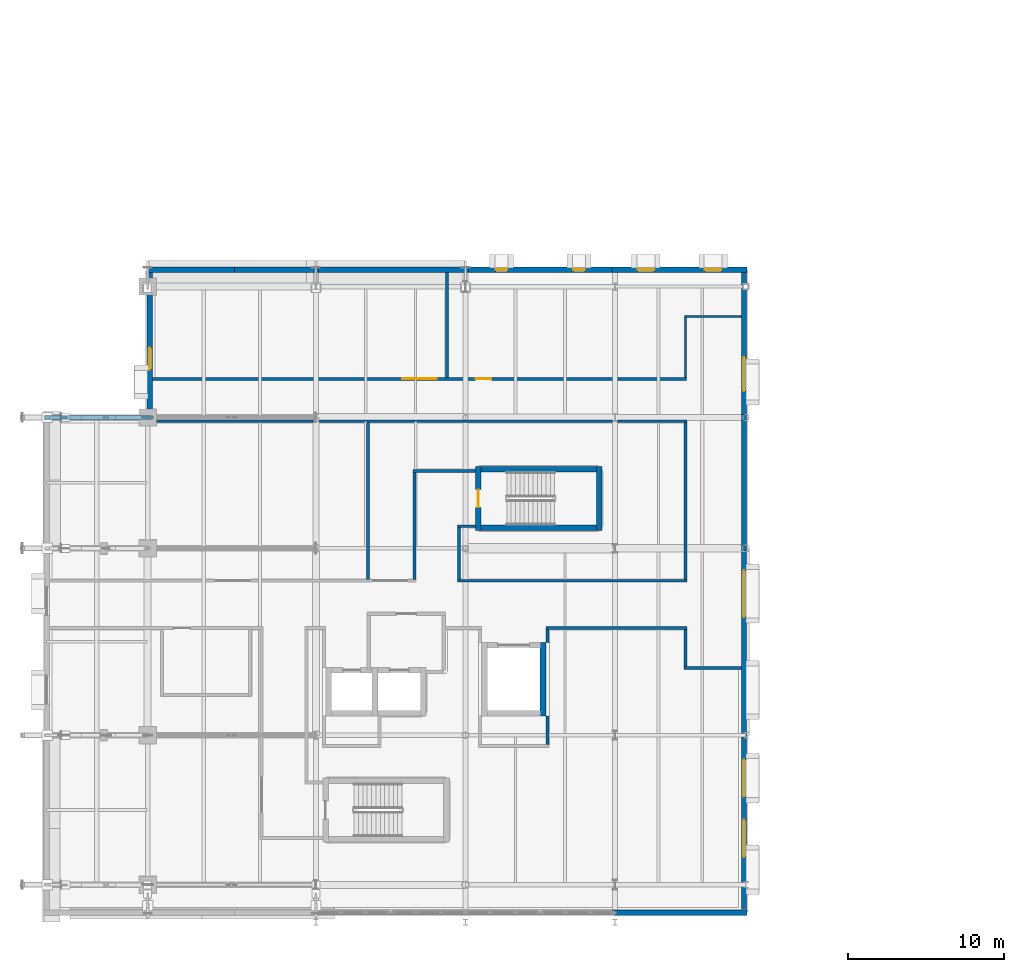
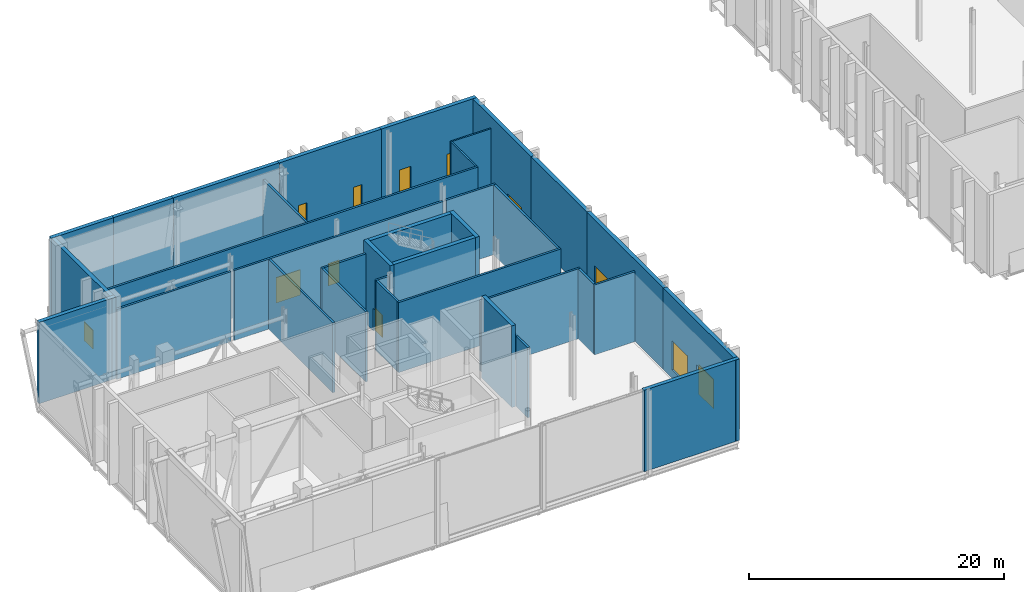
# One storey, part 58 of 79: 36 walls, 9 windows, 3 doors, 12 openings.
"""IFC4 building model written with IfcOpenShell, lengths in metres."""

from ifc_helpers import new_model, si_unit, direction, frame, frame_2d, origin, place, context, subcontext, project, spatial, rectangle, extrude, material, layer, layer_set, type_object, element, fill, save


model = new_model("IFC4")

# Units and contexts
model_context = context("Model", 3, precision=1e-05, world=origin(), true_north=direction((0.0, 1.0)))
body_context = subcontext(model_context, "Body", "Model", "MODEL_VIEW")
ifc_project = project(units=[si_unit("LENGTHUNIT", "METRE"), si_unit("AREAUNIT", "SQUARE_METRE"), si_unit("VOLUMEUNIT", "CUBIC_METRE"), si_unit("PLANEANGLEUNIT", "RADIAN"), si_unit("MASSUNIT", "GRAM", prefix="KILO")], contexts=[model_context])

# Site, building, storey
site_placement = place(None, origin())
site = spatial("IfcSite", under=ifc_project, at=site_placement, CompositionType="ELEMENT")
building_placement = place(site_placement, origin())
building = spatial("IfcBuilding", under=site, at=building_placement, Name="Zereglee Splitstone Museum", CompositionType="ELEMENT")
storey_placement = place(building_placement, frame((0.0, 0.0, 9.0)))
storey = spatial("IfcBuildingStorey", under=building, at=storey_placement, Name="L02", CompositionType="ELEMENT", Elevation=9.0)

# Wall, opening, door
ifc_material_1 = material(Name="Concrete C45/55", Category="concrete")
ifc_layer_1 = layer(ifc_material_1, 0.360107421875)
ifc_layer_set_1 = layer_set([ifc_layer_1], Name="Concrete C45/55")
wall_type_1 = type_object("IfcWallType", Name="CSW-02", PredefinedType="SHEAR", material=ifc_layer_set_1)
wall_1_placement = place(storey_placement, frame((30.820068359375, 22.739990234375, 0.0), z_axis=(0.0, 0.0, 1.0), x_axis=(0.0, 1.0, 0.0)))
wall_1 = element("IfcWall", 1, at=wall_1_placement, inside=storey, type_object=wall_type_1, Name="Stair Core Shear Wall ST-02 L02 West", PredefinedType="SHEAR", context=body_context, shape_type="SweptSolid", body=[
    extrude(rectangle(XDim=4.1201171875, YDim=0.360107421875, at=frame_2d((2.06005859375, 0.0))), origin(), (0.0, 0.0, 1.0), 7.820068359375),
])
opening_1_placement = place(wall_1_placement, frame((1.485107421875, 0.0, 0.0)))
opening_1 = element("IfcOpeningElement", 2, at=opening_1_placement, cuts=wall_1, Name="Opening ID-03", PredefinedType="OPENING", context=body_context, shape_type="SweptSolid", body=[
    extrude(rectangle(XDim=1.14990234375, YDim=2.14990234375, at=frame_2d((0.574951171875, 1.074951171875))), frame((0.0, 0.19482421875, 0.0), z_axis=(0.0, -1.0, 0.0), x_axis=(1.0, 0.0, 0.0)), (0.0, 0.0, 1.0), 0.389892578125),
])
ifc_material_2 = material(Name="Fire-rated steel and Siberian larch leaf", Category="steel")
door_type_1 = type_object("IfcDoorType", Name="ID-03", OperationType="NOTDEFINED", PredefinedType="DOOR", material=ifc_material_2)
door_1_placement = place(opening_1_placement, origin())
door_1 = element("IfcDoor", 3, at=door_1_placement, inside=storey, type_object=door_type_1, Name="Protected Stair Fire Door ST-02 L02", OperationType="SINGLE_SWING_RIGHT", OverallHeight=2.14990234375, OverallWidth=1.14990234375, PredefinedType="DOOR", context=body_context, shape_type="SweptSolid", body=[
    extrude(rectangle(XDim=1.14990234375, YDim=2.14990234375, at=frame_2d((0.574951171875, 1.074951171875))), frame((0.0, 0.02490234375, 0.0), z_axis=(0.0, -1.0, 0.0), x_axis=(1.0, 0.0, 0.0)), (0.0, 0.0, 1.0), 0.050048828125),
])
fill(opening_1, door_1)

# Walls
wall_2_placement = place(storey_placement, frame((38.580078125, 22.739990234375, 0.0), z_axis=(0.0, 0.0, 1.0), x_axis=(0.0, 1.0, 0.0)))
element("IfcWall", 4, at=wall_2_placement, inside=storey, type_object=wall_type_1, Name="Stair Core Shear Wall ST-02 L02 East", PredefinedType="SHEAR", context=body_context, shape_type="SweptSolid", body=[
    extrude(rectangle(XDim=4.1201171875, YDim=0.360107421875, at=frame_2d((2.06005859375, 0.0))), origin(), (0.0, 0.0, 1.0), 7.820068359375),
])
for number, where, z_axis, x_axis, name in (
    (5, (31.0, 26.679931640625, 0.0), (0.0, 0.0, 1.0), (1.0, 0.0, 0.0), "Stair Core Shear Wall ST-02 L02 North"),
    (6, (31.0, 22.919921875, 0.0), (0.0, 0.0, 1.0), (1.0, 0.0, 0.0), "Stair Core Shear Wall ST-02 L02 South"),
):
    element("IfcWall", number, at=place(storey_placement, frame(where, z_axis=z_axis, x_axis=x_axis)), inside=storey, type_object=wall_type_1, Name=name, PredefinedType="SHEAR", context=body_context, shape_type="SweptSolid", body=[
        extrude(rectangle(XDim=7.39990234375, YDim=0.360107421875, at=frame_2d((3.699951171875, 0.0))), origin(), (0.0, 0.0, 1.0), 7.820068359375),
    ])
wall_3_placement = place(storey_placement, frame((34.97998046875, 10.840087890625, 0.0), z_axis=(0.0, 0.0, 1.0), x_axis=(0.0, 1.0, 0.0)))
element("IfcWall", 7, at=wall_3_placement, inside=storey, type_object=wall_type_1, Name="Lift Shaft Wall GL-02 L02 East", PredefinedType="SHEAR", context=body_context, shape_type="SweptSolid", body=[
    extrude(rectangle(XDim=4.719970703125, YDim=0.360107421875, at=frame_2d((2.35986328125, 0.0))), origin(), (0.0, 0.0, 1.0), 7.820068359375),
])
ifc_material_3 = material(Name="Precast concrete C40/50", Category="concrete")
ifc_layer_2 = layer(ifc_material_3, 0.35009765625)
ifc_layer_set_2 = layer_set([ifc_layer_2], Name="Precast concrete C40/50")
wall_type_2 = type_object("IfcWallType", Name="EW-01", PredefinedType="STANDARD", material=ifc_layer_set_2)
wall_4_placement = place(storey_placement, frame((39.419921875, -1.780029296875, 0.0), z_axis=(0.0, 0.0, 1.0), x_axis=(1.0, 0.0, 0.0)))
element("IfcWall", 8, at=wall_4_placement, inside=storey, type_object=wall_type_2, Name="Exterior Backup Wall RC4-EW-L02-0136", PredefinedType="STANDARD", context=body_context, shape_type="SweptSolid", body=[
    extrude(rectangle(XDim=8.64013671875, YDim=0.35009765625, at=frame_2d((4.320068359375, 0.0))), origin(), (0.0, 0.0, 1.0), 7.800048828125),
])

# Wall, openings, windows
wall_5_placement = place(storey_placement, frame((47.8798828125, -1.9599609375, 0.0), z_axis=(0.0, 0.0, 1.0), x_axis=(0.0, 1.0, 0.0)))
wall_5 = element("IfcWall", 9, at=wall_5_placement, inside=storey, type_object=wall_type_2, Name="Exterior Backup Wall RC4-EW-L02-0137", PredefinedType="STANDARD", context=body_context, shape_type="SweptSolid", body=[
    extrude(rectangle(XDim=11.739990234375, YDim=0.35009765625, at=frame_2d((5.8701171875, 0.0))), origin(), (0.0, 0.0, 1.0), 7.800048828125),
])
opening_2_placement = place(wall_5_placement, frame((3.735107421875, 0.0, 0.800048828125)))
opening_2 = element("IfcOpeningElement", 10, at=opening_2_placement, cuts=wall_5, Name="Opening EW-W09", PredefinedType="OPENING", context=body_context, shape_type="SweptSolid", body=[
    extrude(rectangle(XDim=2.39990234375, YDim=2.800048828125, at=frame_2d((1.199951171875, 1.39990234375))), frame((0.0, 0.18994140625, 0.0), z_axis=(0.0, -1.0, 0.0), x_axis=(1.0, 0.0, 0.0)), (0.0, 0.0, 1.0), 0.3798828125),
])
opening_3_placement = place(wall_5_placement, frame((7.60498046875, 0.0, 0.800048828125)))
opening_3 = element("IfcOpeningElement", 11, at=opening_3_placement, cuts=wall_5, Name="Opening EW-W09", PredefinedType="OPENING", context=body_context, shape_type="SweptSolid", body=[
    extrude(rectangle(XDim=2.39990234375, YDim=2.800048828125, at=frame_2d((1.199951171875, 1.39990234375))), frame((0.0, 0.18994140625, 0.0), z_axis=(0.0, -1.0, 0.0), x_axis=(1.0, 0.0, 0.0)), (0.0, 0.0, 1.0), 0.3798828125),
])
ifc_material_4 = material(Name="Thermally broken aluminium frame with triple low-e glazing", Category="aluminium")
window_type_1 = type_object("IfcWindowType", Name="EW-W09", PartitioningType="TRIPLE_PANEL_VERTICAL", PredefinedType="WINDOW", material=ifc_material_4)
window_1_placement = place(opening_2_placement, origin())
window_1 = element("IfcWindow", 12, at=window_1_placement, inside=storey, type_object=window_type_1, Name="Mughal Deep-Reveal Gallery Window L02-0083", OverallHeight=2.800048828125, OverallWidth=2.39990234375, PartitioningType="SINGLE_PANEL", PredefinedType="WINDOW", context=body_context, shape_type="SweptSolid", body=[
    extrude(rectangle(XDim=2.39990234375, YDim=2.800048828125, at=frame_2d((1.199951171875, 1.39990234375))), frame((0.0, 0.030029296875, 0.0), z_axis=(0.0, -1.0, 0.0), x_axis=(1.0, 0.0, 0.0)), (0.0, 0.0, 1.0), 0.06005859375),
])
fill(opening_2, window_1)
window_2_placement = place(opening_3_placement, origin())
window_2 = element("IfcWindow", 13, at=window_2_placement, inside=storey, type_object=window_type_1, Name="Mughal Deep-Reveal Gallery Window L02-0084", OverallHeight=2.800048828125, OverallWidth=2.39990234375, PartitioningType="SINGLE_PANEL", PredefinedType="WINDOW", context=body_context, shape_type="SweptSolid", body=[
    extrude(rectangle(XDim=2.39990234375, YDim=2.800048828125, at=frame_2d((1.199951171875, 1.39990234375))), frame((0.0, 0.030029296875, 0.0), z_axis=(0.0, -1.0, 0.0), x_axis=(1.0, 0.0, 0.0)), (0.0, 0.0, 1.0), 0.06005859375),
])
fill(opening_3, window_2)

# Wall, opening, window
wall_6_placement = place(storey_placement, frame((47.8798828125, 9.419921875, 0.0), z_axis=(0.0, 0.0, 1.0), x_axis=(0.0, 1.0, 0.0)))
wall_6 = element("IfcWall", 14, at=wall_6_placement, inside=storey, type_object=wall_type_2, Name="Exterior Backup Wall RC4-EW-L02-0138", PredefinedType="STANDARD", context=body_context, shape_type="SweptSolid", body=[
    extrude(rectangle(XDim=12.360107421875, YDim=0.35009765625, at=frame_2d((6.18017578125, 0.0))), origin(), (0.0, 0.0, 1.0), 7.800048828125),
])
opening_4_placement = place(wall_6_placement, frame((7.77001953125, 0.0, 0.800048828125)))
opening_4 = element("IfcOpeningElement", 15, at=opening_4_placement, cuts=wall_6, Name="Opening EW-W11", PredefinedType="OPENING", context=body_context, shape_type="SweptSolid", body=[
    extrude(rectangle(XDim=3.0, YDim=2.60009765625, at=frame_2d((1.5, 1.300048828125))), frame((0.0, 0.18994140625, 0.0), z_axis=(0.0, -1.0, 0.0), x_axis=(1.0, 0.0, 0.0)), (0.0, 0.0, 1.0), 0.3798828125),
])
window_type_2 = type_object("IfcWindowType", Name="EW-W11", PartitioningType="TRIPLE_PANEL_VERTICAL", PredefinedType="WINDOW", material=ifc_material_4)
window_3_placement = place(opening_4_placement, origin())
window_3 = element("IfcWindow", 16, at=window_3_placement, inside=storey, type_object=window_type_2, Name="Mughal Deep-Reveal Gallery Window L02-0086", OverallHeight=2.60009765625, OverallWidth=3.0, PartitioningType="SINGLE_PANEL", PredefinedType="WINDOW", context=body_context, shape_type="SweptSolid", body=[
    extrude(rectangle(XDim=3.0, YDim=2.60009765625, at=frame_2d((1.5, 1.300048828125))), frame((0.0, 0.030029296875, 0.0), z_axis=(0.0, -1.0, 0.0), x_axis=(1.0, 0.0, 0.0)), (0.0, 0.0, 1.0), 0.06005859375),
])
fill(opening_4, window_3)

# Wall
wall_7_placement = place(storey_placement, frame((47.8798828125, 21.419921875, 0.0), z_axis=(0.0, 0.0, 1.0), x_axis=(0.0, 1.0, 0.0)))
element("IfcWall", 17, at=wall_7_placement, inside=storey, type_object=wall_type_2, Name="Exterior Backup Wall RC4-EW-L02-0139", PredefinedType="STANDARD", context=body_context, shape_type="SweptSolid", body=[
    extrude(rectangle(XDim=8.760009765625, YDim=0.35009765625, at=frame_2d((4.3798828125, 0.0))), origin(), (0.0, 0.0, 1.0), 7.800048828125),
])

# Wall, opening, window
wall_8_placement = place(storey_placement, frame((47.8798828125, 29.820068359375, 0.0), z_axis=(0.0, 0.0, 1.0), x_axis=(0.0, 1.0, 0.0)))
wall_8 = element("IfcWall", 18, at=wall_8_placement, inside=storey, type_object=wall_type_2, Name="Exterior Backup Wall RC4-EW-L02-0140", PredefinedType="STANDARD", context=body_context, shape_type="SweptSolid", body=[
    extrude(rectangle(XDim=9.83984375, YDim=0.35009765625, at=frame_2d((4.919921875, 0.0))), origin(), (0.0, 0.0, 1.0), 7.800048828125),
])
opening_5_placement = place(wall_8_placement, frame((1.860107421875, 0.0, 0.89990234375)))
opening_5 = element("IfcOpeningElement", 19, at=opening_5_placement, cuts=wall_8, Name="Opening EW-W13", PredefinedType="OPENING", context=body_context, shape_type="SweptSolid", body=[
    extrude(rectangle(XDim=2.199951171875, YDim=1.10009765625, at=frame_2d((1.10009765625, 0.550048828125))), frame((0.0, 0.18994140625, 0.0), z_axis=(0.0, -1.0, 0.0), x_axis=(1.0, 0.0, 0.0)), (0.0, 0.0, 1.0), 0.3798828125),
])
window_type_3 = type_object("IfcWindowType", Name="EW-W13", PartitioningType="DOUBLE_PANEL_HORIZONTAL", PredefinedType="WINDOW", material=ifc_material_4)
window_4_placement = place(opening_5_placement, origin())
window_4 = element("IfcWindow", 20, at=window_4_placement, inside=storey, type_object=window_type_3, Name="Mughal Deep-Reveal Gallery Window L02-0087", OverallHeight=1.10009765625, OverallWidth=2.199951171875, PartitioningType="SINGLE_PANEL", PredefinedType="WINDOW", context=body_context, shape_type="SweptSolid", body=[
    extrude(rectangle(XDim=2.199951171875, YDim=1.10009765625, at=frame_2d((1.10009765625, 0.550048828125))), frame((0.0, 0.030029296875, 0.0), z_axis=(0.0, -1.0, 0.0), x_axis=(1.0, 0.0, 0.0)), (0.0, 0.0, 1.0), 0.06005859375),
])
fill(opening_5, window_4)

# Wall, openings, windows
wall_9_placement = place(storey_placement, frame((48.06005859375, 39.47998046875, 0.0), z_axis=(0.0, 0.0, 1.0), x_axis=(-1.0, 0.0, 0.0)))
wall_9 = element("IfcWall", 21, at=wall_9_placement, inside=storey, type_object=wall_type_2, Name="Exterior Backup Wall RC4-EW-L02-0141", PredefinedType="STANDARD", context=body_context, shape_type="SweptSolid", body=[
    extrude(rectangle(XDim=8.64013671875, YDim=0.35009765625, at=frame_2d((4.320068359375, 0.0))), origin(), (0.0, 0.0, 1.0), 7.800048828125),
])
opening_6_placement = place(wall_9_placement, frame((1.635009765625, 0.0, 0.89990234375)))
opening_6 = element("IfcOpeningElement", 22, at=opening_6_placement, cuts=wall_9, Name="Opening EW-W02", PredefinedType="OPENING", context=body_context, shape_type="SweptSolid", body=[
    extrude(rectangle(XDim=1.050048828125, YDim=2.39990234375, at=frame_2d((0.52490234375, 1.199951171875))), frame((0.0, 0.18994140625, 0.0), z_axis=(0.0, -1.0, 0.0), x_axis=(1.0, 0.0, 0.0)), (0.0, 0.0, 1.0), 0.3798828125),
])
opening_7_placement = place(wall_9_placement, frame((5.955078125, 0.0, 0.89990234375)))
opening_7 = element("IfcOpeningElement", 23, at=opening_7_placement, cuts=wall_9, Name="Opening EW-W02", PredefinedType="OPENING", context=body_context, shape_type="SweptSolid", body=[
    extrude(rectangle(XDim=1.050048828125, YDim=2.39990234375, at=frame_2d((0.52490234375, 1.199951171875))), frame((0.0, 0.18994140625, 0.0), z_axis=(0.0, -1.0, 0.0), x_axis=(1.0, 0.0, 0.0)), (0.0, 0.0, 1.0), 0.3798828125),
])
window_type_4 = type_object("IfcWindowType", Name="EW-W02", PartitioningType="SINGLE_PANEL", PredefinedType="WINDOW", material=ifc_material_4)
window_5_placement = place(opening_6_placement, origin())
window_5 = element("IfcWindow", 24, at=window_5_placement, inside=storey, type_object=window_type_4, Name="Mughal Deep-Reveal Gallery Window L02-0088", OverallHeight=2.39990234375, OverallWidth=1.050048828125, PartitioningType="SINGLE_PANEL", PredefinedType="WINDOW", context=body_context, shape_type="SweptSolid", body=[
    extrude(rectangle(XDim=1.050048828125, YDim=2.39990234375, at=frame_2d((0.52490234375, 1.199951171875))), frame((0.0, 0.030029296875, 0.0), z_axis=(0.0, -1.0, 0.0), x_axis=(1.0, 0.0, 0.0)), (0.0, 0.0, 1.0), 0.06005859375),
])
fill(opening_6, window_5)
window_6_placement = place(opening_7_placement, origin())
window_6 = element("IfcWindow", 25, at=window_6_placement, inside=storey, type_object=window_type_4, Name="Mughal Deep-Reveal Gallery Window L02-0089", OverallHeight=2.39990234375, OverallWidth=1.050048828125, PartitioningType="SINGLE_PANEL", PredefinedType="WINDOW", context=body_context, shape_type="SweptSolid", body=[
    extrude(rectangle(XDim=1.050048828125, YDim=2.39990234375, at=frame_2d((0.52490234375, 1.199951171875))), frame((0.0, 0.030029296875, 0.0), z_axis=(0.0, -1.0, 0.0), x_axis=(1.0, 0.0, 0.0)), (0.0, 0.0, 1.0), 0.06005859375),
])
fill(opening_7, window_6)

wall_10_placement = place(storey_placement, frame((39.780029296875, 39.47998046875, 0.0), z_axis=(0.0, 0.0, 1.0), x_axis=(-1.0, 0.0, 0.0)))
wall_10 = element("IfcWall", 26, at=wall_10_placement, inside=storey, type_object=wall_type_2, Name="Exterior Backup Wall RC4-EW-L02-0142", PredefinedType="STANDARD", context=body_context, shape_type="SweptSolid", body=[
    extrude(rectangle(XDim=9.9599609375, YDim=0.35009765625, at=frame_2d((4.97998046875, 0.0))), origin(), (0.0, 0.0, 1.0), 7.800048828125),
])
opening_8_placement = place(wall_10_placement, frame((2.114990234375, 0.0, 0.89990234375)))
opening_8 = element("IfcOpeningElement", 27, at=opening_8_placement, cuts=wall_10, Name="Opening EW-W16", PredefinedType="OPENING", context=body_context, shape_type="SweptSolid", body=[
    extrude(rectangle(XDim=0.75, YDim=2.199951171875, at=frame_2d((0.375, 1.10009765625))), frame((0.0, 0.18994140625, 0.0), z_axis=(0.0, -1.0, 0.0), x_axis=(1.0, 0.0, 0.0)), (0.0, 0.0, 1.0), 0.3798828125),
])
opening_9_placement = place(wall_10_placement, frame((7.094970703125, 0.0, 0.89990234375)))
opening_9 = element("IfcOpeningElement", 28, at=opening_9_placement, cuts=wall_10, Name="Opening EW-W16", PredefinedType="OPENING", context=body_context, shape_type="SweptSolid", body=[
    extrude(rectangle(XDim=0.75, YDim=2.199951171875, at=frame_2d((0.375, 1.10009765625))), frame((0.0, 0.18994140625, 0.0), z_axis=(0.0, -1.0, 0.0), x_axis=(1.0, 0.0, 0.0)), (0.0, 0.0, 1.0), 0.3798828125),
])
window_type_5 = type_object("IfcWindowType", Name="EW-W16", PartitioningType="SINGLE_PANEL", PredefinedType="WINDOW", material=ifc_material_4)
window_7_placement = place(opening_8_placement, origin())
window_7 = element("IfcWindow", 29, at=window_7_placement, inside=storey, type_object=window_type_5, Name="Mughal Deep-Reveal Gallery Window L02-0090", OverallHeight=2.199951171875, OverallWidth=0.75, PartitioningType="SINGLE_PANEL", PredefinedType="WINDOW", context=body_context, shape_type="SweptSolid", body=[
    extrude(rectangle(XDim=0.75, YDim=2.199951171875, at=frame_2d((0.375, 1.10009765625))), frame((0.0, 0.030029296875, 0.0), z_axis=(0.0, -1.0, 0.0), x_axis=(1.0, 0.0, 0.0)), (0.0, 0.0, 1.0), 0.06005859375),
])
fill(opening_8, window_7)
window_8_placement = place(opening_9_placement, origin())
window_8 = element("IfcWindow", 30, at=window_8_placement, inside=storey, type_object=window_type_5, Name="Mughal Deep-Reveal Gallery Window L02-0091", OverallHeight=2.199951171875, OverallWidth=0.75, PartitioningType="SINGLE_PANEL", PredefinedType="WINDOW", context=body_context, shape_type="SweptSolid", body=[
    extrude(rectangle(XDim=0.75, YDim=2.199951171875, at=frame_2d((0.375, 1.10009765625))), frame((0.0, 0.030029296875, 0.0), z_axis=(0.0, -1.0, 0.0), x_axis=(1.0, 0.0, 0.0)), (0.0, 0.0, 1.0), 0.06005859375),
])
fill(opening_9, window_8)

# Walls
wall_11_placement = place(storey_placement, frame((30.179931640625, 39.47998046875, 0.0), z_axis=(0.0, 0.0, 1.0), x_axis=(-1.0, 0.0, 0.0)))
element("IfcWall", 31, at=wall_11_placement, inside=storey, type_object=wall_type_2, Name="Exterior Backup Wall RC4-EW-L02-0143", PredefinedType="STANDARD", context=body_context, shape_type="SweptSolid", body=[
    extrude(rectangle(XDim=9.9599609375, YDim=0.35009765625, at=frame_2d((4.97998046875, 0.0))), origin(), (0.0, 0.0, 1.0), 7.800048828125),
])
wall_12_placement = place(storey_placement, frame((20.580078125, 39.47998046875, 0.0), z_axis=(0.0, 0.0, 1.0), x_axis=(-1.0, 0.0, 0.0)))
element("IfcWall", 32, at=wall_12_placement, inside=storey, type_object=wall_type_2, Name="Exterior Backup Wall RC4-EW-L02-0144", PredefinedType="STANDARD", context=body_context, shape_type="SweptSolid", body=[
    extrude(rectangle(XDim=5.760009765625, YDim=0.35009765625, at=frame_2d((2.8798828125, 0.0))), origin(), (0.0, 0.0, 1.0), 7.800048828125),
])
wall_13_placement = place(storey_placement, frame((15.179931640625, 39.47998046875, 0.0), z_axis=(0.0, 0.0, 1.0), x_axis=(-1.0, 0.0, 0.0)))
element("IfcWall", 33, at=wall_13_placement, inside=storey, type_object=wall_type_2, Name="Exterior Backup Wall RC4-EW-L02-0145", PredefinedType="STANDARD", context=body_context, shape_type="SweptSolid", body=[
    extrude(rectangle(XDim=5.639892578125, YDim=0.35009765625, at=frame_2d((2.81982421875, 0.0))), origin(), (0.0, 0.0, 1.0), 7.800048828125),
])

# Wall, opening, window
wall_14_placement = place(storey_placement, frame((9.719970703125, 39.659912109375, 0.0), z_axis=(0.0, 0.0, 1.0), x_axis=(0.0, -1.0, 0.0)))
wall_14 = element("IfcWall", 34, at=wall_14_placement, inside=storey, type_object=wall_type_2, Name="Exterior Backup Wall RC4-EW-L02-0146", PredefinedType="STANDARD", context=body_context, shape_type="SweptSolid", body=[
    extrude(rectangle(XDim=9.83984375, YDim=0.35009765625, at=frame_2d((4.919921875, 0.0))), origin(), (0.0, 0.0, 1.0), 7.800048828125),
])
opening_10_placement = place(wall_14_placement, frame((5.179931640625, 0.0, 0.89990234375)))
opening_10 = element("IfcOpeningElement", 35, at=opening_10_placement, cuts=wall_14, Name="Opening EW-W18", PredefinedType="OPENING", context=body_context, shape_type="SweptSolid", body=[
    extrude(rectangle(XDim=1.39990234375, YDim=1.800048828125, at=frame_2d((0.699951171875, 0.89990234375))), frame((0.0, 0.18994140625, 0.0), z_axis=(0.0, -1.0, 0.0), x_axis=(1.0, 0.0, 0.0)), (0.0, 0.0, 1.0), 0.3798828125),
])
window_type_6 = type_object("IfcWindowType", Name="EW-W18", PartitioningType="DOUBLE_PANEL_VERTICAL", PredefinedType="WINDOW", material=ifc_material_4)
window_9_placement = place(opening_10_placement, origin())
window_9 = element("IfcWindow", 36, at=window_9_placement, inside=storey, type_object=window_type_6, Name="Mughal Deep-Reveal Gallery Window L02-0092", OverallHeight=1.800048828125, OverallWidth=1.39990234375, PartitioningType="SINGLE_PANEL", PredefinedType="WINDOW", context=body_context, shape_type="SweptSolid", body=[
    extrude(rectangle(XDim=1.39990234375, YDim=1.800048828125, at=frame_2d((0.699951171875, 0.89990234375))), frame((0.0, 0.030029296875, 0.0), z_axis=(0.0, -1.0, 0.0), x_axis=(1.0, 0.0, 0.0)), (0.0, 0.0, 1.0), 0.06005859375),
])
fill(opening_10, window_9)

# Walls
wall_15_placement = place(storey_placement, frame((9.89990234375, 30.0, 0.0), z_axis=(0.0, 0.0, 1.0), x_axis=(-1.0, 0.0, 0.0)))
element("IfcWall", 37, at=wall_15_placement, inside=storey, type_object=wall_type_2, Name="Exterior Backup Wall RC4-EW-L02-0147", PredefinedType="STANDARD", context=body_context, shape_type="SweptSolid", body=[
    extrude(rectangle(XDim=6.9599609375, YDim=0.35009765625, at=frame_2d((3.47998046875, 0.0))), origin(), (0.0, 0.0, 1.0), 7.800048828125),
])
ifc_material_5 = material(Name="Fire-rated gypsum board partition", Category="masonry")
ifc_layer_3 = layer(ifc_material_5, 0.139892578125)
ifc_layer_set_3 = layer_set([ifc_layer_3], Name="Fire-rated gypsum board partition")
wall_type_3 = type_object("IfcWallType", Name="IW-05", PredefinedType="PARTITIONING", material=ifc_layer_set_3)
wall_16_placement = place(storey_placement, frame((44.050048828125, 36.47998046875, 0.0), z_axis=(0.0, 0.0, 1.0), x_axis=(1.0, 0.0, 0.0)))
element("IfcWall", 38, at=wall_16_placement, inside=storey, type_object=wall_type_3, Name="Interior Partition L02-0499 (Curatorial Study Room)", PredefinedType="PARTITIONING", context=body_context, shape_type="SweptSolid", body=[
    extrude(rectangle(XDim=3.655029296875, YDim=0.139892578125, at=frame_2d((1.82763671875, 0.0))), origin(), (0.0, 0.0, 1.0), 6.699951171875),
])
wall_17_placement = place(storey_placement, frame((44.1201171875, 32.574951171875, 0.0), z_axis=(0.0, 0.0, 1.0), x_axis=(0.0, 1.0, 0.0)))
element("IfcWall", 39, at=wall_17_placement, inside=storey, type_object=wall_type_3, Name="Interior Partition L02-0525 (Curatorial Study Room)", PredefinedType="PARTITIONING", context=body_context, shape_type="SweptSolid", body=[
    extrude(rectangle(XDim=3.8349609375, YDim=0.139892578125, at=frame_2d((1.91748046875, 0.0))), origin(), (0.0, 0.0, 1.0), 6.699951171875),
])
ifc_material_6 = material(Name="Gypsum board on acoustic steel stud", Category="steel")
ifc_layer_4 = layer(ifc_material_6, 0.18994140625)
ifc_layer_set_4 = layer_set([ifc_layer_4], Name="Gypsum board on acoustic steel stud")
wall_type_4 = type_object("IfcWallType", Name="IW-02", PredefinedType="PARTITIONING", material=ifc_layer_set_4)
wall_18_placement = place(storey_placement, frame((44.02490234375, 13.919921875, 0.0), z_axis=(0.0, 0.0, 1.0), x_axis=(1.0, 0.0, 0.0)))
element("IfcWall", 40, at=wall_18_placement, inside=storey, type_object=wall_type_4, Name="Interior Partition L02-0469 (Central Asian Sculpture Hall)", PredefinedType="PARTITIONING", context=body_context, shape_type="SweptSolid", body=[
    extrude(rectangle(XDim=3.68017578125, YDim=0.18994140625, at=frame_2d((1.840087890625, 0.0))), origin(), (0.0, 0.0, 1.0), 6.699951171875),
])
wall_19_placement = place(storey_placement, frame((35.18505859375, 16.47998046875, 0.0), z_axis=(0.0, 0.0, 1.0), x_axis=(1.0, 0.0, 0.0)))
element("IfcWall", 41, at=wall_19_placement, inside=storey, type_object=wall_type_4, Name="Interior Partition L02-0474 (Central Asian Sculpture Hall)", PredefinedType="PARTITIONING", context=body_context, shape_type="SweptSolid", body=[
    extrude(rectangle(XDim=9.030029296875, YDim=0.18994140625, at=frame_2d((4.51513671875, 0.0))), origin(), (0.0, 0.0, 1.0), 6.699951171875),
])
wall_20_placement = place(storey_placement, frame((29.485107421875, 19.52001953125, 0.0), z_axis=(0.0, 0.0, 1.0), x_axis=(1.0, 0.0, 0.0)))
element("IfcWall", 42, at=wall_20_placement, inside=storey, type_object=wall_type_4, Name="Interior Partition L02-0479 (Nomadic Bronze Heritage Gallery)", PredefinedType="PARTITIONING", context=body_context, shape_type="SweptSolid", body=[
    extrude(rectangle(XDim=14.72998046875, YDim=0.18994140625, at=frame_2d((7.364990234375, 0.0))), origin(), (0.0, 0.0, 1.0), 6.699951171875),
])
wall_21_placement = place(storey_placement, frame((29.485107421875, 23.02001953125, 0.0), z_axis=(0.0, 0.0, 1.0), x_axis=(1.0, 0.0, 0.0)))
element("IfcWall", 43, at=wall_21_placement, inside=storey, type_object=wall_type_4, Name="Interior Partition L02-0490 (Nomadic Bronze Heritage Gallery)", PredefinedType="PARTITIONING", context=body_context, shape_type="SweptSolid", body=[
    extrude(rectangle(XDim=1.15478515625, YDim=0.18994140625, at=frame_2d((0.577392578125, 0.0))), origin(), (0.0, 0.0, 1.0), 6.699951171875),
])
wall_22_placement = place(storey_placement, frame((26.625, 26.580078125, 0.0), z_axis=(0.0, 0.0, 1.0), x_axis=(1.0, 0.0, 0.0)))
element("IfcWall", 44, at=wall_22_placement, inside=storey, type_object=wall_type_4, Name="Interior Partition L02-0491 (Nomadic Bronze Heritage Gallery)", PredefinedType="PARTITIONING", context=body_context, shape_type="SweptSolid", body=[
    extrude(rectangle(XDim=4.014892578125, YDim=0.18994140625, at=frame_2d((2.00732421875, 0.0))), origin(), (0.0, 0.0, 1.0), 6.699951171875),
])
wall_23_placement = place(storey_placement, frame((9.89501953125, 29.760009765625, 0.0), z_axis=(0.0, 0.0, 1.0), x_axis=(1.0, 0.0, 0.0)))
element("IfcWall", 45, at=wall_23_placement, inside=storey, type_object=wall_type_4, Name="Interior Partition L02-0492 (Cantilevered Megafauna Exhibition Gallery)", PredefinedType="PARTITIONING", context=body_context, shape_type="SweptSolid", body=[
    extrude(rectangle(XDim=10.35498046875, YDim=0.18994140625, at=frame_2d((5.177490234375, 0.0))), origin(), (0.0, 0.0, 1.0), 6.699951171875),
])
wall_24_placement = place(storey_placement, frame((20.550048828125, 29.760009765625, 0.0), z_axis=(0.0, 0.0, 1.0), x_axis=(1.0, 0.0, 0.0)))
element("IfcWall", 46, at=wall_24_placement, inside=storey, type_object=wall_type_4, Name="Interior Partition L02-0493 (Cantilevered Megafauna Exhibition Gallery)", PredefinedType="PARTITIONING", context=body_context, shape_type="SweptSolid", body=[
    extrude(rectangle(XDim=18.89990234375, YDim=0.18994140625, at=frame_2d((9.449951171875, 0.0))), origin(), (0.0, 0.0, 1.0), 6.699951171875),
])
wall_25_placement = place(storey_placement, frame((39.75, 29.760009765625, 0.0), z_axis=(0.0, 0.0, 1.0), x_axis=(1.0, 0.0, 0.0)))
element("IfcWall", 47, at=wall_25_placement, inside=storey, type_object=wall_type_4, Name="Interior Partition L02-0494 (Cantilevered Megafauna Exhibition Gallery)", PredefinedType="PARTITIONING", context=body_context, shape_type="SweptSolid", body=[
    extrude(rectangle(XDim=4.465087890625, YDim=0.18994140625, at=frame_2d((2.232421875, 0.0))), origin(), (0.0, 0.0, 1.0), 6.699951171875),
])

# Wall, openings, doors
wall_26_placement = place(storey_placement, frame((9.89501953125, 32.47998046875, 0.0), z_axis=(0.0, 0.0, 1.0), x_axis=(1.0, 0.0, 0.0)))
wall_26 = element("IfcWall", 48, at=wall_26_placement, inside=storey, type_object=wall_type_4, Name="Interior Partition L02-0497 (Gobi Agate and Jade Treasury)", PredefinedType="PARTITIONING", context=body_context, shape_type="SweptSolid", body=[
    extrude(rectangle(XDim=34.294921875, YDim=0.18994140625, at=frame_2d((17.1474609375, 0.0))), origin(), (0.0, 0.0, 1.0), 6.699951171875),
])
opening_11_placement = place(wall_26_placement, frame((16.047607421875, 0.0, 0.0)))
opening_11 = element("IfcOpeningElement", 49, at=opening_11_placement, cuts=wall_26, Name="Opening ID-01", PredefinedType="OPENING", context=body_context, shape_type="SweptSolid", body=[
    extrude(rectangle(XDim=2.199951171875, YDim=2.449951171875, at=frame_2d((1.10009765625, 1.22509765625))), frame((0.0, 0.10986328125, 0.0), z_axis=(0.0, -1.0, 0.0), x_axis=(1.0, 0.0, 0.0)), (0.0, 0.0, 1.0), 0.2197265625),
])
opening_12_placement = place(wall_26_placement, frame((20.762939453125, 0.0, 0.0)))
opening_12 = element("IfcOpeningElement", 50, at=opening_12_placement, cuts=wall_26, Name="Opening ID-10", PredefinedType="OPENING", context=body_context, shape_type="SweptSolid", body=[
    extrude(rectangle(XDim=1.0, YDim=2.14990234375, at=frame_2d((0.5, 1.074951171875))), frame((0.0, 0.10986328125, 0.0), z_axis=(0.0, -1.0, 0.0), x_axis=(1.0, 0.0, 0.0)), (0.0, 0.0, 1.0), 0.2197265625),
])
door_type_2 = type_object("IfcDoorType", Name="ID-01", OperationType="NOTDEFINED", PredefinedType="DOOR", material=ifc_material_2)
door_2_placement = place(opening_11_placement, origin())
door_2 = element("IfcDoor", 51, at=door_2_placement, inside=storey, type_object=door_type_2, Name="Interior Door L02-0084 (Gobi Agate and Jade Treasury)", OperationType="DOUBLE_DOOR_SINGLE_SWING", OverallHeight=2.449951171875, OverallWidth=2.199951171875, PredefinedType="DOOR", context=body_context, shape_type="SweptSolid", body=[
    extrude(rectangle(XDim=2.199951171875, YDim=2.449951171875, at=frame_2d((1.10009765625, 1.22509765625))), frame((0.0, 0.02490234375, 0.0), z_axis=(0.0, -1.0, 0.0), x_axis=(1.0, 0.0, 0.0)), (0.0, 0.0, 1.0), 0.050048828125),
])
fill(opening_11, door_2)
ifc_material_7 = material(Name="Siberian larch acoustic timber leaf in bronze-steel frame", Category="steel")
door_type_3 = type_object("IfcDoorType", Name="ID-10", OperationType="NOTDEFINED", PredefinedType="DOOR", material=ifc_material_7)
door_3_placement = place(opening_12_placement, origin())
door_3 = element("IfcDoor", 52, at=door_3_placement, inside=storey, type_object=door_type_3, Name="Interior Door L02-0085 (Curatorial Study Room)", OperationType="SINGLE_SWING_RIGHT", OverallHeight=2.14990234375, OverallWidth=1.0, PredefinedType="DOOR", context=body_context, shape_type="SweptSolid", body=[
    extrude(rectangle(XDim=1.0, YDim=2.14990234375, at=frame_2d((0.5, 1.074951171875))), frame((0.0, 0.02490234375, 0.0), z_axis=(0.0, -1.0, 0.0), x_axis=(1.0, 0.0, 0.0)), (0.0, 0.0, 1.0), 0.050048828125),
])
fill(opening_12, door_3)

# Walls
wall_27_placement = place(storey_placement, frame((23.739990234375, 19.614990234375, 0.0), z_axis=(0.0, 0.0, 1.0), x_axis=(0.0, 1.0, 0.0)))
element("IfcWall", 53, at=wall_27_placement, inside=storey, type_object=wall_type_4, Name="Interior Partition L02-0514 (Cantilevered Megafauna Exhibition Gallery)", PredefinedType="PARTITIONING", context=body_context, shape_type="SweptSolid", body=[
    extrude(rectangle(XDim=10.050048828125, YDim=0.18994140625, at=frame_2d((5.02490234375, 0.0))), origin(), (0.0, 0.0, 1.0), 6.699951171875),
])
wall_28_placement = place(storey_placement, frame((26.719970703125, 19.614990234375, 0.0), z_axis=(0.0, 0.0, 1.0), x_axis=(0.0, 1.0, 0.0)))
element("IfcWall", 54, at=wall_28_placement, inside=storey, type_object=wall_type_4, Name="Interior Partition L02-0516 (Nomadic Bronze Heritage Gallery)", PredefinedType="PARTITIONING", context=body_context, shape_type="SweptSolid", body=[
    extrude(rectangle(XDim=6.8701171875, YDim=0.18994140625, at=frame_2d((3.43505859375, 0.0))), origin(), (0.0, 0.0, 1.0), 6.699951171875),
])
wall_29_placement = place(storey_placement, frame((28.800048828125, 32.574951171875, 0.0), z_axis=(0.0, 0.0, 1.0), x_axis=(0.0, 1.0, 0.0)))
element("IfcWall", 55, at=wall_29_placement, inside=storey, type_object=wall_type_4, Name="Interior Partition L02-0517 (Gobi Agate and Jade Treasury)", PredefinedType="PARTITIONING", context=body_context, shape_type="SweptSolid", body=[
    extrude(rectangle(XDim=6.72998046875, YDim=0.18994140625, at=frame_2d((3.364990234375, 0.0))), origin(), (0.0, 0.0, 1.0), 6.699951171875),
])
wall_30_placement = place(storey_placement, frame((29.580078125, 19.614990234375, 0.0), z_axis=(0.0, 0.0, 1.0), x_axis=(0.0, 1.0, 0.0)))
element("IfcWall", 56, at=wall_30_placement, inside=storey, type_object=wall_type_4, Name="Interior Partition L02-0518 (Nomadic Bronze Heritage Gallery)", PredefinedType="PARTITIONING", context=body_context, shape_type="SweptSolid", body=[
    extrude(rectangle(XDim=3.31005859375, YDim=0.18994140625, at=frame_2d((1.655029296875, 0.0))), origin(), (0.0, 0.0, 1.0), 6.699951171875),
])
wall_31_placement = place(storey_placement, frame((35.280029296875, 9.014892578125, 0.0), z_axis=(0.0, 0.0, 1.0), x_axis=(0.0, 1.0, 0.0)))
element("IfcWall", 57, at=wall_31_placement, inside=storey, type_object=wall_type_4, Name="Interior Partition L02-0521 (Central Asian Sculpture Hall)", PredefinedType="PARTITIONING", context=body_context, shape_type="SweptSolid", body=[
    extrude(rectangle(XDim=1.8251953125, YDim=0.18994140625, at=frame_2d((0.91259765625, 0.0))), origin(), (0.0, 0.0, 1.0), 6.699951171875),
])
wall_32_placement = place(storey_placement, frame((35.280029296875, 15.56005859375, 0.0), z_axis=(0.0, 0.0, 1.0), x_axis=(0.0, 1.0, 0.0)))
element("IfcWall", 58, at=wall_32_placement, inside=storey, type_object=wall_type_4, Name="Interior Partition L02-0522 (Central Asian Sculpture Hall)", PredefinedType="PARTITIONING", context=body_context, shape_type="SweptSolid", body=[
    extrude(rectangle(XDim=0.824951171875, YDim=0.18994140625, at=frame_2d((0.41259765625, 0.0))), origin(), (0.0, 0.0, 1.0), 6.699951171875),
])
wall_33_placement = place(storey_placement, frame((44.1201171875, 14.014892578125, 0.0), z_axis=(0.0, 0.0, 1.0), x_axis=(0.0, 1.0, 0.0)))
element("IfcWall", 59, at=wall_33_placement, inside=storey, type_object=wall_type_4, Name="Interior Partition L02-0523 (Central Asian Sculpture Hall)", PredefinedType="PARTITIONING", context=body_context, shape_type="SweptSolid", body=[
    extrude(rectangle(XDim=2.3701171875, YDim=0.18994140625, at=frame_2d((1.18505859375, 0.0))), origin(), (0.0, 0.0, 1.0), 6.699951171875),
])
wall_34_placement = place(storey_placement, frame((44.1201171875, 19.614990234375, 0.0), z_axis=(0.0, 0.0, 1.0), x_axis=(0.0, 1.0, 0.0)))
element("IfcWall", 60, at=wall_34_placement, inside=storey, type_object=wall_type_4, Name="Interior Partition L02-0524 (Nomadic Bronze Heritage Gallery)", PredefinedType="PARTITIONING", context=body_context, shape_type="SweptSolid", body=[
    extrude(rectangle(XDim=10.050048828125, YDim=0.18994140625, at=frame_2d((5.02490234375, 0.0))), origin(), (0.0, 0.0, 1.0), 6.699951171875),
])

save(model, "model.ifc")
